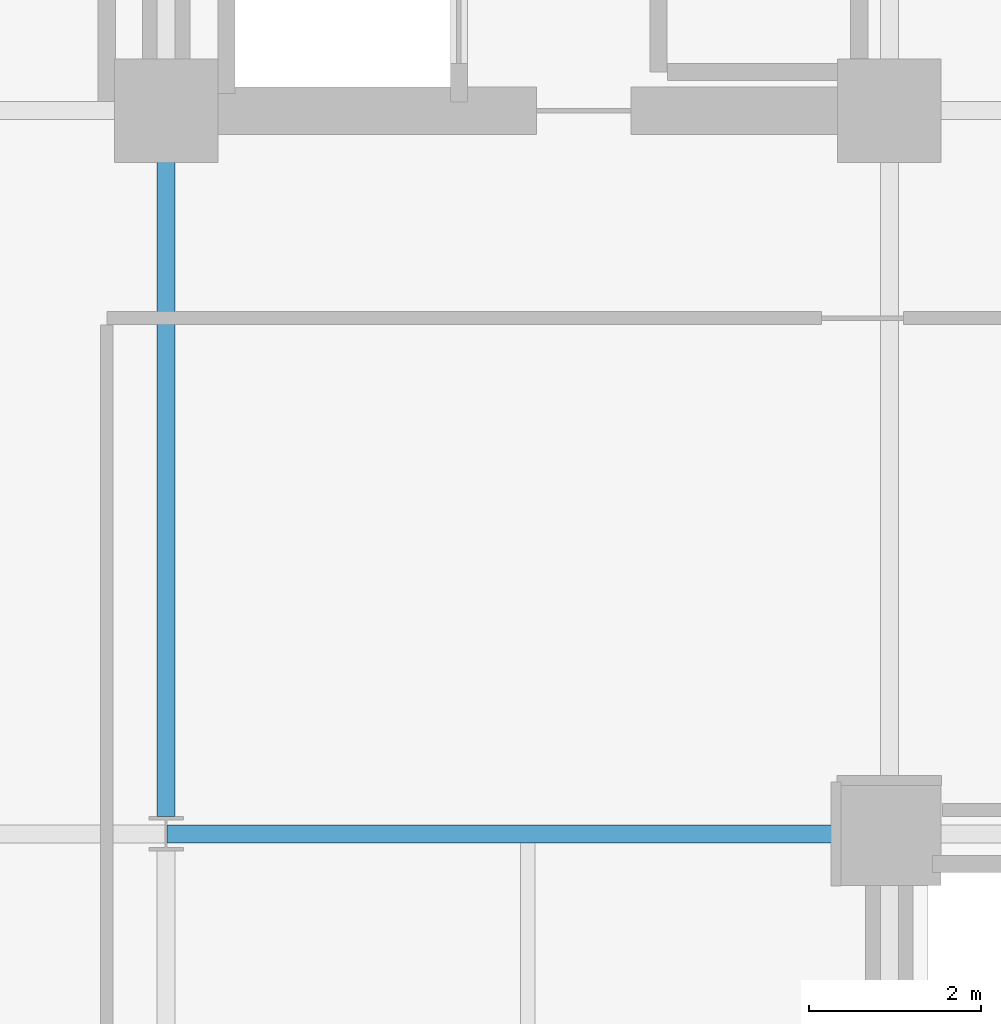
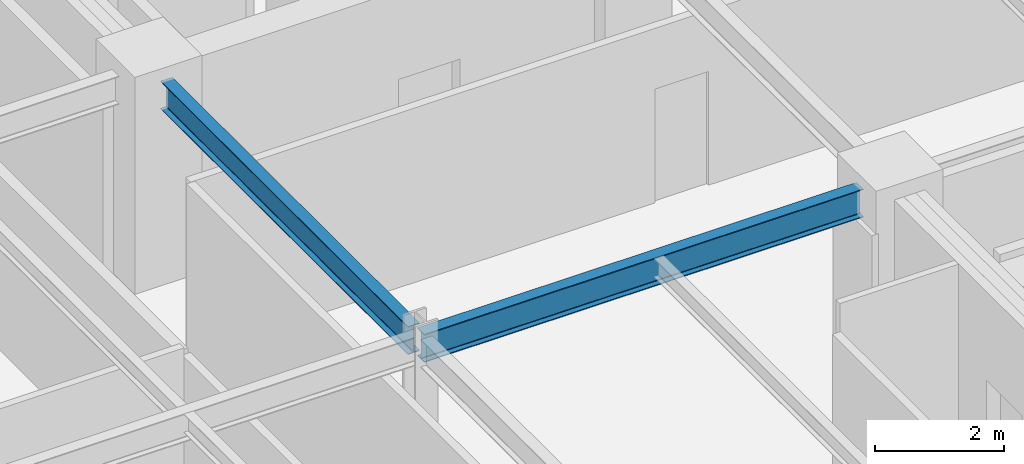
# One storey, part 9 of 29: 2 beams.
"""IFC4 building model written with IfcOpenShell, lengths in metres."""

from ifc_helpers import new_model, si_unit, direction, frame, origin, origin_2d, place, context, subcontext, project, spatial, i_section, extrude, material, material_profile, profile_set, type_object, element, save


model = new_model("IFC4")

# Units and contexts
model_context = context("Model", 3, precision=1e-05, world=origin(), true_north=direction((0.0, 1.0)))
body_context = subcontext(model_context, "Body", "Model", "MODEL_VIEW")
ifc_project = project(units=[si_unit("LENGTHUNIT", "METRE"), si_unit("AREAUNIT", "SQUARE_METRE"), si_unit("VOLUMEUNIT", "CUBIC_METRE"), si_unit("PLANEANGLEUNIT", "RADIAN"), si_unit("MASSUNIT", "GRAM", prefix="KILO")], contexts=[model_context])

# Site, building, storey
site_placement = place(None, origin())
site = spatial("IfcSite", under=ifc_project, at=site_placement, CompositionType="ELEMENT")
building_placement = place(site_placement, origin())
building = spatial("IfcBuilding", under=site, at=building_placement, Name="Nerrivon Quay Data Exchange", CompositionType="ELEMENT")
storey_placement = place(building_placement, frame((0.0, 0.0, 121.300048828125)))
storey = spatial("IfcBuildingStorey", under=building, at=storey_placement, Name="L28", CompositionType="ELEMENT", Elevation=121.300048828125)

# Beams
ifc_material = material(Name="Steel Grade 350", Category="steel")
ifc_material_profile_1 = material_profile(ifc_material, i_section(OverallWidth=0.208984375, OverallDepth=0.532958984375, WebThickness=0.01025390625, FlangeThickness=0.015625, FilletRadius=0.013916015625, at=origin_2d()), Name="530UB92.4")
ifc_profile_set_1 = profile_set([ifc_material_profile_1], Name="Steel Grade 350")
beam_type_1 = type_object("IfcBeamType", Name="BM-G3-530UB92", PredefinedType="BEAM", material=ifc_profile_set_1)
beam_1_placement = place(storey_placement, frame((8.41259765625, 16.800048828125, 3.558349609375), z_axis=(1.0, 0.0, 0.0), x_axis=(0.0, 1.0, 0.0)))
element("IfcBeam", 1, at=beam_1_placement, inside=storey, type_object=beam_type_1, Name="L28 EW Girder Y=16.8 (8.4..16.8)", PredefinedType="BEAM", context=body_context, shape_type="SweptSolid", body=[
    extrude(i_section(OverallWidth=0.208984375, OverallDepth=0.532958984375, WebThickness=0.01025390625, FlangeThickness=0.015625, FilletRadius=0.013916015625, at=origin_2d()), origin(), (0.0, 0.0, 1.0), 7.847412109375),
])
ifc_material_profile_2 = material_profile(ifc_material, i_section(OverallWidth=0.208984375, OverallDepth=0.528076171875, WebThickness=0.009521484375, FlangeThickness=0.01318359375, FilletRadius=0.013916015625, at=origin_2d()), Name="530UB82.0")
ifc_profile_set_2 = profile_set([ifc_material_profile_2], Name="Steel Grade 350")
beam_type_2 = type_object("IfcBeamType", Name="BM-G4-530UB82", PredefinedType="BEAM", material=ifc_profile_set_2)
beam_2_placement = place(storey_placement, frame((8.39990234375, 17.0, 3.56103515625), z_axis=(0.0, 1.0, 0.0), x_axis=(-1.0, 0.0, 0.0)))
element("IfcBeam", 2, at=beam_2_placement, inside=storey, type_object=beam_type_2, Name="L28 NS Girder X=8.4 (16.8..25.2)", PredefinedType="BEAM", context=body_context, shape_type="SweptSolid", body=[
    extrude(i_section(OverallWidth=0.208984375, OverallDepth=0.528076171875, WebThickness=0.009521484375, FlangeThickness=0.01318359375, FilletRadius=0.013916015625, at=origin_2d()), origin(), (0.0, 0.0, 1.0), 7.659912109375),
])

save(model, "model.ifc")
